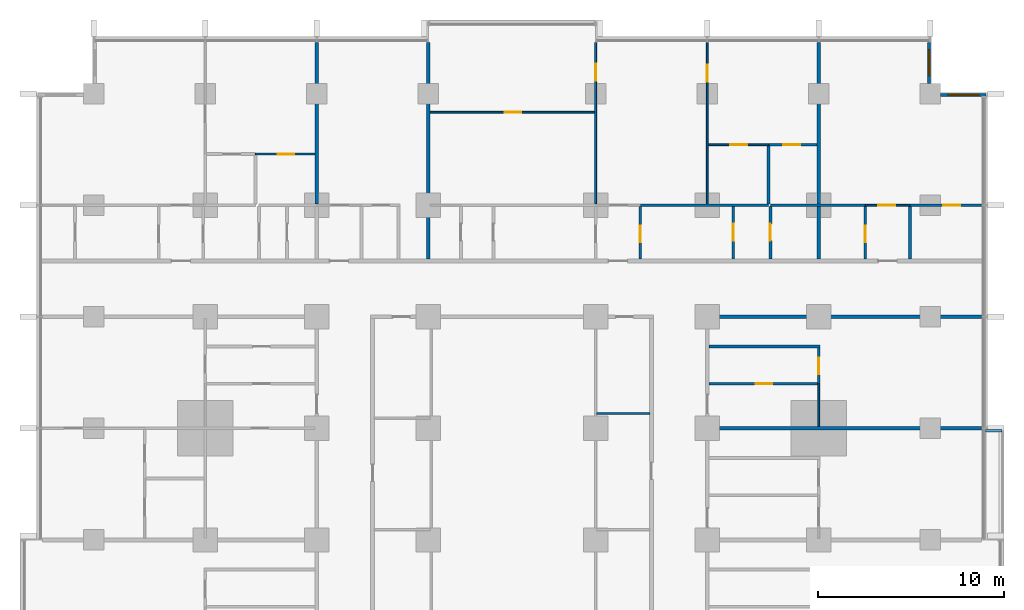
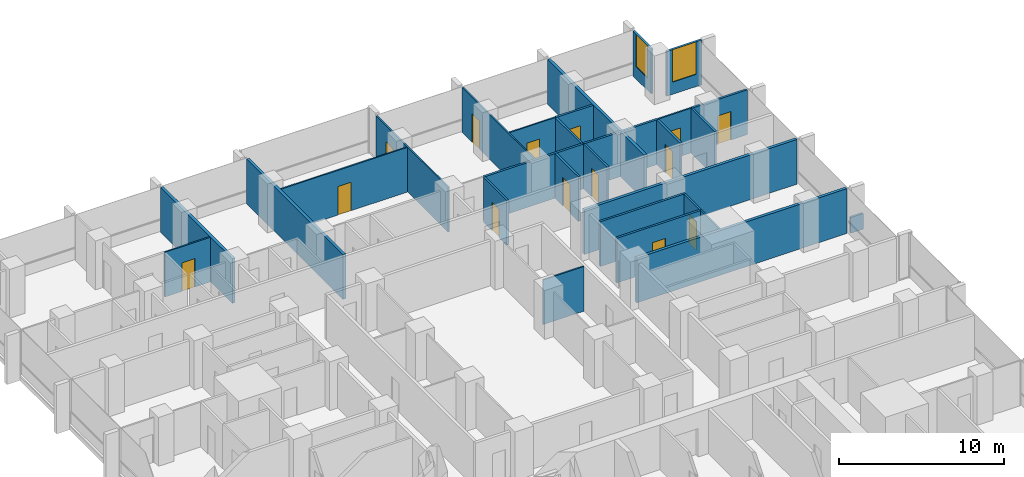
# One storey, part 12 of 18: 30 walls, 14 doors, 2 windows, 16 openings.
"""IFC4 building model written with IfcOpenShell, lengths in metres."""

from ifc_helpers import new_model, si_unit, direction, frame, frame_2d, origin, place, context, subcontext, project, spatial, rectangle, extrude, material, layer, layer_set, type_object, element, fill, save


model = new_model("IFC4")

# Units and contexts
model_context = context("Model", 3, precision=1e-05, world=origin(), true_north=direction((0.0, 1.0)))
body_context = subcontext(model_context, "Body", "Model", "MODEL_VIEW")
ifc_project = project(units=[si_unit("LENGTHUNIT", "METRE"), si_unit("AREAUNIT", "SQUARE_METRE"), si_unit("VOLUMEUNIT", "CUBIC_METRE"), si_unit("PLANEANGLEUNIT", "RADIAN"), si_unit("MASSUNIT", "GRAM", prefix="KILO")], contexts=[model_context])

# Site, building, storey
site_placement = place(None, origin())
site = spatial("IfcSite", under=ifc_project, at=site_placement, CompositionType="ELEMENT")
building_placement = place(site_placement, origin())
building = spatial("IfcBuilding", under=site, at=building_placement, Name="Finial Court Residences", CompositionType="ELEMENT")
storey_placement = place(building_placement, frame((0.0, 0.0, 43.300048828125)))
storey = spatial("IfcBuildingStorey", under=building, at=storey_placement, Name="L09", CompositionType="ELEMENT", Elevation=43.300048828125)

# Walls
ifc_material_1 = material(Name="Gypsum board")
ifc_layer_1 = layer(ifc_material_1, 0.02490234375)
ifc_material_2 = material(Name="Acoustic mineral wool in double frame")
ifc_layer_2 = layer(ifc_material_2, 0.14990234375)
ifc_layer_3 = layer(ifc_material_1, 0.02490234375)
ifc_layer_set_1 = layer_set([ifc_layer_1, ifc_layer_2, ifc_layer_3], Name="Acoustic party wall 200, 1 hour")
wall_type_1 = type_object("IfcWallType", Name="Acoustic party wall 200, 1 hour", PredefinedType="PARTITIONING", material=ifc_layer_set_1)
wall_1_placement = place(storey_placement, frame((10.60009765625, 7.5, 0.0), z_axis=(0.0, 0.0, 1.0), x_axis=(1.0, 0.0, 0.0)))
element("IfcWall", 1, at=wall_1_placement, inside=storey, type_object=wall_type_1, Name="Partition L09-024", PredefinedType="PARTITIONING", context=body_context, shape_type="SweptSolid", body=[
    extrude(rectangle(XDim=14.64990234375, YDim=0.199951171875, at=frame_2d((7.324951171875, 0.0))), origin(), (0.0, 0.0, 1.0), 3.300048828125),
])
wall_2_placement = place(storey_placement, frame((-10.5, 19.574951171875, 0.0), z_axis=(0.0, 0.0, 1.0), x_axis=(0.0, 1.0, 0.0)))
element("IfcWall", 2, at=wall_2_placement, inside=storey, type_object=wall_type_1, Name="Partition L09-078", PredefinedType="PARTITIONING", context=body_context, shape_type="SweptSolid", body=[
    extrude(rectangle(XDim=8.675048828125, YDim=0.199951171875, at=frame_2d((4.33740234375, 0.0))), origin(), (0.0, 0.0, 1.0), 3.300048828125),
])
wall_3_placement = place(storey_placement, frame((-4.5, 16.60009765625, 0.0), z_axis=(0.0, 0.0, 1.0), x_axis=(0.0, 1.0, 0.0)))
element("IfcWall", 3, at=wall_3_placement, inside=storey, type_object=wall_type_1, Name="Partition L09-082", PredefinedType="PARTITIONING", context=body_context, shape_type="SweptSolid", body=[
    extrude(rectangle(XDim=11.64990234375, YDim=0.199951171875, at=frame_2d((5.824951171875, 0.0))), origin(), (0.0, 0.0, 1.0), 3.300048828125),
])
wall_4_placement = place(storey_placement, frame((16.5, 16.60009765625, 0.0), z_axis=(0.0, 0.0, 1.0), x_axis=(0.0, 1.0, 0.0)))
element("IfcWall", 4, at=wall_4_placement, inside=storey, type_object=wall_type_1, Name="Partition L09-100", PredefinedType="PARTITIONING", context=body_context, shape_type="SweptSolid", body=[
    extrude(rectangle(XDim=2.824951171875, YDim=0.199951171875, at=frame_2d((1.41259765625, 0.0))), origin(), (0.0, 0.0, 1.0), 3.300048828125),
])
wall_5_placement = place(storey_placement, frame((16.5, 19.574951171875, 0.0), z_axis=(0.0, 0.0, 1.0), x_axis=(0.0, 1.0, 0.0)))
element("IfcWall", 5, at=wall_5_placement, inside=storey, type_object=wall_type_1, Name="Partition L09-101", PredefinedType="PARTITIONING", context=body_context, shape_type="SweptSolid", body=[
    extrude(rectangle(XDim=8.675048828125, YDim=0.199951171875, at=frame_2d((4.33740234375, 0.0))), origin(), (0.0, 0.0, 1.0), 3.300048828125),
])
ifc_layer_4 = layer(ifc_material_1, 0.02490234375)
ifc_layer_5 = layer(ifc_material_2, 0.14990234375)
ifc_layer_6 = layer(ifc_material_1, 0.02490234375)
ifc_layer_set_2 = layer_set([ifc_layer_4, ifc_layer_5, ifc_layer_6], Name="Corridor wall 200, 1 hour")
wall_type_2 = type_object("IfcWallType", Name="Corridor wall 200, 1 hour", PredefinedType="PARTITIONING", material=ifc_layer_set_2)
wall_6_placement = place(storey_placement, frame((10.39990234375, 13.5, 0.0), z_axis=(0.0, 0.0, 1.0), x_axis=(1.0, 0.0, 0.0)))
element("IfcWall", 6, at=wall_6_placement, inside=storey, type_object=wall_type_2, Name="Partition L09-034", PredefinedType="PARTITIONING", context=body_context, shape_type="SweptSolid", body=[
    extrude(rectangle(XDim=14.85009765625, YDim=0.199951171875, at=frame_2d((7.425048828125, 0.0))), origin(), (0.0, 0.0, 1.0), 3.300048828125),
])
ifc_layer_7 = layer(ifc_material_1, 0.012451171875)
ifc_material_3 = material(Name="Mineral wool in light-gauge frame")
ifc_layer_8 = layer(ifc_material_3, 0.074951171875)
ifc_layer_9 = layer(ifc_material_1, 0.012451171875)
ifc_layer_set_3 = layer_set([ifc_layer_7, ifc_layer_8, ifc_layer_9], Name="Gypsum board partition 100")
wall_type_3 = type_object("IfcWallType", Name="Gypsum board partition 100", PredefinedType="PARTITIONING", material=ifc_layer_set_3)
wall_7_placement = place(storey_placement, frame((4.550048828125, 8.300048828125, 0.0), z_axis=(0.0, 0.0, 1.0), x_axis=(1.0, 0.0, 0.0)))
element("IfcWall", 7, at=wall_7_placement, inside=storey, type_object=wall_type_3, Name="Partition L09-027", PredefinedType="PARTITIONING", context=body_context, shape_type="SweptSolid", body=[
    extrude(rectangle(XDim=2.849853515625, YDim=0.10009765625, at=frame_2d((1.4248046875, 0.0))), origin(), (0.0, 0.0, 1.0), 3.300048828125),
])

# Wall, opening, door
wall_8_placement = place(storey_placement, frame((19.0, 19.5, 0.0), z_axis=(0.0, 0.0, 1.0), x_axis=(1.0, 0.0, 0.0)))
wall_8 = element("IfcWall", 8, at=wall_8_placement, inside=storey, type_object=wall_type_3, Name="Partition L09-041", PredefinedType="PARTITIONING", context=body_context, shape_type="SweptSolid", body=[
    extrude(rectangle(XDim=2.39990234375, YDim=0.10009765625, at=frame_2d((1.199951171875, 0.0))), origin(), (0.0, 0.0, 1.0), 3.300048828125),
])
opening_1_placement = place(wall_8_placement, frame((0.699951171875, 0.0, 0.0)))
opening_1 = element("IfcOpeningElement", 9, at=opening_1_placement, cuts=wall_8, Name="Opening L09-D026", PredefinedType="OPENING", context=body_context, shape_type="SweptSolid", body=[
    extrude(rectangle(XDim=0.89990234375, YDim=2.10009765625, at=frame_2d((0.449951171875, 1.050048828125))), frame((0.0, 0.06005859375, 0.0), z_axis=(0.0, -1.0, 0.0), x_axis=(1.0, 0.0, 0.0)), (0.0, 0.0, 1.0), 0.1201171875),
])
ifc_material_4 = material(Name="Timber door leaf in timber frame", Category="wood")
door_type = type_object("IfcDoorType", Name="Door set 900 x 2100", OperationType="SINGLE_SWING_LEFT", PredefinedType="DOOR", material=ifc_material_4)
door_1_placement = place(opening_1_placement, origin())
door_1 = element("IfcDoor", 10, at=door_1_placement, inside=storey, type_object=door_type, Name="Door L09-D026", OperationType="SINGLE_SWING_LEFT", OverallHeight=2.10009765625, OverallWidth=0.89990234375, PredefinedType="DOOR", context=body_context, shape_type="SweptSolid", body=[
    extrude(rectangle(XDim=0.89990234375, YDim=2.10009765625, at=frame_2d((0.449951171875, 1.050048828125))), frame((0.0, 0.02490234375, 0.0), z_axis=(0.0, -1.0, 0.0), x_axis=(1.0, 0.0, 0.0)), (0.0, 0.0, 1.0), 0.050048828125),
])
fill(opening_1, door_1)

wall_9_placement = place(storey_placement, frame((-13.800048828125, 22.25, 0.0), z_axis=(0.0, 0.0, 1.0), x_axis=(1.0, 0.0, 0.0)))
wall_9 = element("IfcWall", 11, at=wall_9_placement, inside=storey, type_object=wall_type_3, Name="Partition L09-050", PredefinedType="PARTITIONING", context=body_context, shape_type="SweptSolid", body=[
    extrude(rectangle(XDim=3.199951171875, YDim=0.10009765625, at=frame_2d((1.60009765625, 0.0))), origin(), (0.0, 0.0, 1.0), 3.300048828125),
])
opening_2_placement = place(wall_9_placement, frame((1.199951171875, 0.0, 0.0)))
opening_2 = element("IfcOpeningElement", 12, at=opening_2_placement, cuts=wall_9, Name="Opening L09-D029", PredefinedType="OPENING", context=body_context, shape_type="SweptSolid", body=[
    extrude(rectangle(XDim=0.89990234375, YDim=2.10009765625, at=frame_2d((0.449951171875, 1.050048828125))), frame((0.0, 0.06005859375, 0.0), z_axis=(0.0, -1.0, 0.0), x_axis=(1.0, 0.0, 0.0)), (0.0, 0.0, 1.0), 0.1201171875),
])
door_2_placement = place(opening_2_placement, origin())
door_2 = element("IfcDoor", 13, at=door_2_placement, inside=storey, type_object=door_type, Name="Door L09-D029", OperationType="SINGLE_SWING_LEFT", OverallHeight=2.10009765625, OverallWidth=0.89990234375, PredefinedType="DOOR", context=body_context, shape_type="SweptSolid", body=[
    extrude(rectangle(XDim=0.89990234375, YDim=2.10009765625, at=frame_2d((0.449951171875, 1.050048828125))), frame((0.0, 0.02490234375, 0.0), z_axis=(0.0, -1.0, 0.0), x_axis=(1.0, 0.0, 0.0)), (0.0, 0.0, 1.0), 0.050048828125),
])
fill(opening_2, door_2)

wall_10_placement = place(storey_placement, frame((10.550048828125, 22.75, 0.0), z_axis=(0.0, 0.0, 1.0), x_axis=(1.0, 0.0, 0.0)))
wall_10 = element("IfcWall", 14, at=wall_10_placement, inside=storey, type_object=wall_type_3, Name="Partition L09-052", PredefinedType="PARTITIONING", context=body_context, shape_type="SweptSolid", body=[
    extrude(rectangle(XDim=3.25, YDim=0.10009765625, at=frame_2d((1.625, 0.0))), origin(), (0.0, 0.0, 1.0), 3.300048828125),
])
opening_3_placement = place(wall_10_placement, frame((1.199951171875, 0.0, 0.0)))
opening_3 = element("IfcOpeningElement", 15, at=opening_3_placement, cuts=wall_10, Name="Opening L09-D031", PredefinedType="OPENING", context=body_context, shape_type="SweptSolid", body=[
    extrude(rectangle(XDim=0.89990234375, YDim=2.10009765625, at=frame_2d((0.449951171875, 1.050048828125))), frame((0.0, 0.06005859375, 0.0), z_axis=(0.0, -1.0, 0.0), x_axis=(1.0, 0.0, 0.0)), (0.0, 0.0, 1.0), 0.1201171875),
])
door_3_placement = place(opening_3_placement, origin())
door_3 = element("IfcDoor", 16, at=door_3_placement, inside=storey, type_object=door_type, Name="Door L09-D031", OperationType="SINGLE_SWING_LEFT", OverallHeight=2.10009765625, OverallWidth=0.89990234375, PredefinedType="DOOR", context=body_context, shape_type="SweptSolid", body=[
    extrude(rectangle(XDim=0.89990234375, YDim=2.10009765625, at=frame_2d((0.449951171875, 1.050048828125))), frame((0.0, 0.02490234375, 0.0), z_axis=(0.0, -1.0, 0.0), x_axis=(1.0, 0.0, 0.0)), (0.0, 0.0, 1.0), 0.050048828125),
])
fill(opening_3, door_3)

wall_11_placement = place(storey_placement, frame((-4.39990234375, 24.5, 0.0), z_axis=(0.0, 0.0, 1.0), x_axis=(1.0, 0.0, 0.0)))
wall_11 = element("IfcWall", 17, at=wall_11_placement, inside=storey, type_object=wall_type_3, Name="Partition L09-054", PredefinedType="PARTITIONING", context=body_context, shape_type="SweptSolid", body=[
    extrude(rectangle(XDim=8.849853515625, YDim=0.10009765625, at=frame_2d((4.4248046875, 0.0))), origin(), (0.0, 0.0, 1.0), 3.300048828125),
])
opening_4_placement = place(wall_11_placement, frame((4.0, 0.0, 0.0)))
opening_4 = element("IfcOpeningElement", 18, at=opening_4_placement, cuts=wall_11, Name="Opening L09-D033", PredefinedType="OPENING", context=body_context, shape_type="SweptSolid", body=[
    extrude(rectangle(XDim=0.89990234375, YDim=2.10009765625, at=frame_2d((0.449951171875, 1.050048828125))), frame((0.0, 0.06005859375, 0.0), z_axis=(0.0, -1.0, 0.0), x_axis=(1.0, 0.0, 0.0)), (0.0, 0.0, 1.0), 0.1201171875),
])
door_4_placement = place(opening_4_placement, origin())
door_4 = element("IfcDoor", 19, at=door_4_placement, inside=storey, type_object=door_type, Name="Door L09-D033", OperationType="SINGLE_SWING_LEFT", OverallHeight=2.10009765625, OverallWidth=0.89990234375, PredefinedType="DOOR", context=body_context, shape_type="SweptSolid", body=[
    extrude(rectangle(XDim=0.89990234375, YDim=2.10009765625, at=frame_2d((0.449951171875, 1.050048828125))), frame((0.0, 0.02490234375, 0.0), z_axis=(0.0, -1.0, 0.0), x_axis=(1.0, 0.0, 0.0)), (0.0, 0.0, 1.0), 0.050048828125),
])
fill(opening_4, door_4)

wall_12_placement = place(storey_placement, frame((4.5, 19.574951171875, 0.0), z_axis=(0.0, 0.0, 1.0), x_axis=(0.0, 1.0, 0.0)))
wall_12 = element("IfcWall", 20, at=wall_12_placement, inside=storey, type_object=wall_type_3, Name="Partition L09-087", PredefinedType="PARTITIONING", context=body_context, shape_type="SweptSolid", body=[
    extrude(rectangle(XDim=8.675048828125, YDim=0.10009765625, at=frame_2d((4.33740234375, 0.0))), origin(), (0.0, 0.0, 1.0), 3.300048828125),
])
opening_5_placement = place(wall_12_placement, frame((6.625, 0.0, 0.0)))
opening_5 = element("IfcOpeningElement", 21, at=opening_5_placement, cuts=wall_12, Name="Opening L09-D053", PredefinedType="OPENING", context=body_context, shape_type="SweptSolid", body=[
    extrude(rectangle(XDim=0.89990234375, YDim=2.10009765625, at=frame_2d((0.449951171875, 1.050048828125))), frame((0.0, 0.06005859375, 0.0), z_axis=(0.0, -1.0, 0.0), x_axis=(1.0, 0.0, 0.0)), (0.0, 0.0, 1.0), 0.1201171875),
])
door_5_placement = place(opening_5_placement, origin())
door_5 = element("IfcDoor", 22, at=door_5_placement, inside=storey, type_object=door_type, Name="Door L09-D053", OperationType="SINGLE_SWING_LEFT", OverallHeight=2.10009765625, OverallWidth=0.89990234375, PredefinedType="DOOR", context=body_context, shape_type="SweptSolid", body=[
    extrude(rectangle(XDim=0.89990234375, YDim=2.10009765625, at=frame_2d((0.449951171875, 1.050048828125))), frame((0.0, 0.02490234375, 0.0), z_axis=(0.0, -1.0, 0.0), x_axis=(1.0, 0.0, 0.0)), (0.0, 0.0, 1.0), 0.050048828125),
])
fill(opening_5, door_5)

wall_13_placement = place(storey_placement, frame((10.5, 19.574951171875, 0.0), z_axis=(0.0, 0.0, 1.0), x_axis=(0.0, 1.0, 0.0)))
wall_13 = element("IfcWall", 23, at=wall_13_placement, inside=storey, type_object=wall_type_3, Name="Partition L09-092", PredefinedType="PARTITIONING", context=body_context, shape_type="SweptSolid", body=[
    extrude(rectangle(XDim=8.675048828125, YDim=0.10009765625, at=frame_2d((4.33740234375, 0.0))), origin(), (0.0, 0.0, 1.0), 3.300048828125),
])
opening_6_placement = place(wall_13_placement, frame((6.574951171875, 0.0, 0.0)))
opening_6 = element("IfcOpeningElement", 24, at=opening_6_placement, cuts=wall_13, Name="Opening L09-D059", PredefinedType="OPENING", context=body_context, shape_type="SweptSolid", body=[
    extrude(rectangle(XDim=0.89990234375, YDim=2.10009765625, at=frame_2d((0.449951171875, 1.050048828125))), frame((0.0, 0.06005859375, 0.0), z_axis=(0.0, -1.0, 0.0), x_axis=(1.0, 0.0, 0.0)), (0.0, 0.0, 1.0), 0.1201171875),
])
door_6_placement = place(opening_6_placement, origin())
door_6 = element("IfcDoor", 25, at=door_6_placement, inside=storey, type_object=door_type, Name="Door L09-D059", OperationType="SINGLE_SWING_RIGHT", OverallHeight=2.10009765625, OverallWidth=0.89990234375, PredefinedType="DOOR", context=body_context, shape_type="SweptSolid", body=[
    extrude(rectangle(XDim=0.89990234375, YDim=2.10009765625, at=frame_2d((0.449951171875, 1.050048828125))), frame((0.0, 0.02490234375, 0.0), z_axis=(0.0, -1.0, 0.0), x_axis=(1.0, 0.0, 0.0)), (0.0, 0.0, 1.0), 0.050048828125),
])
fill(opening_6, door_6)

# Wall
wall_14_placement = place(storey_placement, frame((16.5, 7.60009765625, 0.0), z_axis=(0.0, 0.0, 1.0), x_axis=(0.0, 1.0, 0.0)))
element("IfcWall", 26, at=wall_14_placement, inside=storey, type_object=wall_type_3, Name="Partition L09-099", PredefinedType="PARTITIONING", context=body_context, shape_type="SweptSolid", body=[
    extrude(rectangle(XDim=2.2998046875, YDim=0.10009765625, at=frame_2d((1.14990234375, 0.0))), origin(), (0.0, 0.0, 1.0), 3.300048828125),
])

# Wall, opening, door
ifc_material_5 = material(Name="Moisture-resistant gypsum board")
ifc_layer_10 = layer(ifc_material_5, 0.012451171875)
ifc_layer_11 = layer(ifc_material_3, 0.125)
ifc_layer_12 = layer(ifc_material_5, 0.012451171875)
ifc_layer_set_4 = layer_set([ifc_layer_10, ifc_layer_11, ifc_layer_12], Name="Gypsum board wet-area partition 150")
wall_type_4 = type_object("IfcWallType", Name="Gypsum board wet-area partition 150", PredefinedType="PARTITIONING", material=ifc_layer_set_4)
wall_15_placement = place(storey_placement, frame((10.60009765625, 9.89990234375, 0.0), z_axis=(0.0, 0.0, 1.0), x_axis=(1.0, 0.0, 0.0)))
wall_15 = element("IfcWall", 27, at=wall_15_placement, inside=storey, type_object=wall_type_4, Name="Partition L09-029", PredefinedType="PARTITIONING", context=body_context, shape_type="SweptSolid", body=[
    extrude(rectangle(XDim=5.824951171875, YDim=0.14990234375, at=frame_2d((2.91259765625, 0.0))), origin(), (0.0, 0.0, 1.0), 3.300048828125),
])
opening_7_placement = place(wall_15_placement, frame((2.5, 0.0, 0.0)))
opening_7 = element("IfcOpeningElement", 28, at=opening_7_placement, cuts=wall_15, Name="Opening L09-D015", PredefinedType="OPENING", context=body_context, shape_type="SweptSolid", body=[
    extrude(rectangle(XDim=0.89990234375, YDim=2.10009765625, at=frame_2d((0.449951171875, 1.050048828125))), frame((0.0, 0.0849609375, 0.0), z_axis=(0.0, -1.0, 0.0), x_axis=(1.0, 0.0, 0.0)), (0.0, 0.0, 1.0), 0.169921875),
])
door_7_placement = place(opening_7_placement, origin())
door_7 = element("IfcDoor", 29, at=door_7_placement, inside=storey, type_object=door_type, Name="Door L09-D015", OperationType="SINGLE_SWING_LEFT", OverallHeight=2.10009765625, OverallWidth=0.89990234375, PredefinedType="DOOR", context=body_context, shape_type="SweptSolid", body=[
    extrude(rectangle(XDim=0.89990234375, YDim=2.10009765625, at=frame_2d((0.449951171875, 1.050048828125))), frame((0.0, 0.02490234375, 0.0), z_axis=(0.0, -1.0, 0.0), x_axis=(1.0, 0.0, 0.0)), (0.0, 0.0, 1.0), 0.050048828125),
])
fill(opening_7, door_7)

# Walls
wall_16_placement = place(storey_placement, frame((10.60009765625, 11.89990234375, 0.0), z_axis=(0.0, 0.0, 1.0), x_axis=(1.0, 0.0, 0.0)))
element("IfcWall", 30, at=wall_16_placement, inside=storey, type_object=wall_type_4, Name="Partition L09-031", PredefinedType="PARTITIONING", context=body_context, shape_type="SweptSolid", body=[
    extrude(rectangle(XDim=5.974853515625, YDim=0.14990234375, at=frame_2d((2.9873046875, 0.0))), origin(), (0.0, 0.0, 1.0), 3.300048828125),
])
wall_17_placement = place(storey_placement, frame((6.89990234375, 19.5, 0.0), z_axis=(0.0, 0.0, 1.0), x_axis=(1.0, 0.0, 0.0)))
element("IfcWall", 31, at=wall_17_placement, inside=storey, type_object=wall_type_4, Name="Partition L09-047", PredefinedType="PARTITIONING", context=body_context, shape_type="SweptSolid", body=[
    extrude(rectangle(XDim=6.900146484375, YDim=0.14990234375, at=frame_2d((3.4501953125, 0.0))), origin(), (0.0, 0.0, 1.0), 3.300048828125),
])
wall_18_placement = place(storey_placement, frame((13.89990234375, 19.5, 0.0), z_axis=(0.0, 0.0, 1.0), x_axis=(1.0, 0.0, 0.0)))
element("IfcWall", 32, at=wall_18_placement, inside=storey, type_object=wall_type_4, Name="Partition L09-048", PredefinedType="PARTITIONING", context=body_context, shape_type="SweptSolid", body=[
    extrude(rectangle(XDim=5.10009765625, YDim=0.14990234375, at=frame_2d((2.550048828125, 0.0))), origin(), (0.0, 0.0, 1.0), 3.300048828125),
])

# Wall, opening, door
wall_19_placement = place(storey_placement, frame((21.39990234375, 19.5, 0.0), z_axis=(0.0, 0.0, 1.0), x_axis=(1.0, 0.0, 0.0)))
wall_19 = element("IfcWall", 33, at=wall_19_placement, inside=storey, type_object=wall_type_4, Name="Partition L09-049", PredefinedType="PARTITIONING", context=body_context, shape_type="SweptSolid", body=[
    extrude(rectangle(XDim=3.85009765625, YDim=0.14990234375, at=frame_2d((1.925048828125, 0.0))), origin(), (0.0, 0.0, 1.0), 3.300048828125),
])
opening_8_placement = place(wall_19_placement, frame((1.800048828125, 0.0, 0.0)))
opening_8 = element("IfcOpeningElement", 34, at=opening_8_placement, cuts=wall_19, Name="Opening L09-D028", PredefinedType="OPENING", context=body_context, shape_type="SweptSolid", body=[
    extrude(rectangle(XDim=0.89990234375, YDim=2.10009765625, at=frame_2d((0.449951171875, 1.050048828125))), frame((0.0, 0.0849609375, 0.0), z_axis=(0.0, -1.0, 0.0), x_axis=(1.0, 0.0, 0.0)), (0.0, 0.0, 1.0), 0.169921875),
])
door_8_placement = place(opening_8_placement, origin())
door_8 = element("IfcDoor", 35, at=door_8_placement, inside=storey, type_object=door_type, Name="Door L09-D028", OperationType="SINGLE_SWING_RIGHT", OverallHeight=2.10009765625, OverallWidth=0.89990234375, PredefinedType="DOOR", context=body_context, shape_type="SweptSolid", body=[
    extrude(rectangle(XDim=0.89990234375, YDim=2.10009765625, at=frame_2d((0.449951171875, 1.050048828125))), frame((0.0, 0.02490234375, 0.0), z_axis=(0.0, -1.0, 0.0), x_axis=(1.0, 0.0, 0.0)), (0.0, 0.0, 1.0), 0.050048828125),
])
fill(opening_8, door_8)

wall_20_placement = place(storey_placement, frame((13.800048828125, 22.75, 0.0), z_axis=(0.0, 0.0, 1.0), x_axis=(1.0, 0.0, 0.0)))
wall_20 = element("IfcWall", 36, at=wall_20_placement, inside=storey, type_object=wall_type_4, Name="Partition L09-053", PredefinedType="PARTITIONING", context=body_context, shape_type="SweptSolid", body=[
    extrude(rectangle(XDim=2.599853515625, YDim=0.14990234375, at=frame_2d((1.2998046875, 0.0))), origin(), (0.0, 0.0, 1.0), 3.300048828125),
])
opening_9_placement = place(wall_20_placement, frame((0.800048828125, 0.0, 0.0)))
opening_9 = element("IfcOpeningElement", 37, at=opening_9_placement, cuts=wall_20, Name="Opening L09-D032", PredefinedType="OPENING", context=body_context, shape_type="SweptSolid", body=[
    extrude(rectangle(XDim=0.89990234375, YDim=2.10009765625, at=frame_2d((0.449951171875, 1.050048828125))), frame((0.0, 0.0849609375, 0.0), z_axis=(0.0, -1.0, 0.0), x_axis=(1.0, 0.0, 0.0)), (0.0, 0.0, 1.0), 0.169921875),
])
door_9_placement = place(opening_9_placement, origin())
door_9 = element("IfcDoor", 38, at=door_9_placement, inside=storey, type_object=door_type, Name="Door L09-D032", OperationType="SINGLE_SWING_LEFT", OverallHeight=2.10009765625, OverallWidth=0.89990234375, PredefinedType="DOOR", context=body_context, shape_type="SweptSolid", body=[
    extrude(rectangle(XDim=0.89990234375, YDim=2.10009765625, at=frame_2d((0.449951171875, 1.050048828125))), frame((0.0, 0.02490234375, 0.0), z_axis=(0.0, -1.0, 0.0), x_axis=(1.0, 0.0, 0.0)), (0.0, 0.0, 1.0), 0.050048828125),
])
fill(opening_9, door_9)

wall_21_placement = place(storey_placement, frame((6.89990234375, 16.60009765625, 0.0), z_axis=(0.0, 0.0, 1.0), x_axis=(0.0, 1.0, 0.0)))
wall_21 = element("IfcWall", 39, at=wall_21_placement, inside=storey, type_object=wall_type_4, Name="Partition L09-089", PredefinedType="PARTITIONING", context=body_context, shape_type="SweptSolid", body=[
    extrude(rectangle(XDim=2.824951171875, YDim=0.14990234375, at=frame_2d((1.41259765625, 0.0))), origin(), (0.0, 0.0, 1.0), 3.300048828125),
])
opening_10_placement = place(wall_21_placement, frame((0.89990234375, 0.0, 0.0)))
opening_10 = element("IfcOpeningElement", 40, at=opening_10_placement, cuts=wall_21, Name="Opening L09-D055", PredefinedType="OPENING", context=body_context, shape_type="SweptSolid", body=[
    extrude(rectangle(XDim=0.89990234375, YDim=2.10009765625, at=frame_2d((0.449951171875, 1.050048828125))), frame((0.0, 0.0849609375, 0.0), z_axis=(0.0, -1.0, 0.0), x_axis=(1.0, 0.0, 0.0)), (0.0, 0.0, 1.0), 0.169921875),
])
door_10_placement = place(opening_10_placement, origin())
door_10 = element("IfcDoor", 41, at=door_10_placement, inside=storey, type_object=door_type, Name="Door L09-D055", OperationType="SINGLE_SWING_RIGHT", OverallHeight=2.10009765625, OverallWidth=0.89990234375, PredefinedType="DOOR", context=body_context, shape_type="SweptSolid", body=[
    extrude(rectangle(XDim=0.89990234375, YDim=2.10009765625, at=frame_2d((0.449951171875, 1.050048828125))), frame((0.0, 0.02490234375, 0.0), z_axis=(0.0, -1.0, 0.0), x_axis=(1.0, 0.0, 0.0)), (0.0, 0.0, 1.0), 0.050048828125),
])
fill(opening_10, door_10)

wall_22_placement = place(storey_placement, frame((11.89990234375, 16.60009765625, 0.0), z_axis=(0.0, 0.0, 1.0), x_axis=(0.0, 1.0, 0.0)))
wall_22 = element("IfcWall", 42, at=wall_22_placement, inside=storey, type_object=wall_type_4, Name="Partition L09-093", PredefinedType="PARTITIONING", context=body_context, shape_type="SweptSolid", body=[
    extrude(rectangle(XDim=2.824951171875, YDim=0.14990234375, at=frame_2d((1.41259765625, 0.0))), origin(), (0.0, 0.0, 1.0), 3.300048828125),
])
opening_11_placement = place(wall_22_placement, frame((1.0, 0.0, 0.0)))
opening_11 = element("IfcOpeningElement", 43, at=opening_11_placement, cuts=wall_22, Name="Opening L09-D060", PredefinedType="OPENING", context=body_context, shape_type="SweptSolid", body=[
    extrude(rectangle(XDim=0.89990234375, YDim=2.10009765625, at=frame_2d((0.449951171875, 1.050048828125))), frame((0.0, 0.0849609375, 0.0), z_axis=(0.0, -1.0, 0.0), x_axis=(1.0, 0.0, 0.0)), (0.0, 0.0, 1.0), 0.169921875),
])
door_11_placement = place(opening_11_placement, origin())
door_11 = element("IfcDoor", 44, at=door_11_placement, inside=storey, type_object=door_type, Name="Door L09-D060", OperationType="SINGLE_SWING_RIGHT", OverallHeight=2.10009765625, OverallWidth=0.89990234375, PredefinedType="DOOR", context=body_context, shape_type="SweptSolid", body=[
    extrude(rectangle(XDim=0.89990234375, YDim=2.10009765625, at=frame_2d((0.449951171875, 1.050048828125))), frame((0.0, 0.02490234375, 0.0), z_axis=(0.0, -1.0, 0.0), x_axis=(1.0, 0.0, 0.0)), (0.0, 0.0, 1.0), 0.050048828125),
])
fill(opening_11, door_11)

# Wall
wall_23_placement = place(storey_placement, frame((13.800048828125, 19.574951171875, 0.0), z_axis=(0.0, 0.0, 1.0), x_axis=(0.0, 1.0, 0.0)))
element("IfcWall", 45, at=wall_23_placement, inside=storey, type_object=wall_type_4, Name="Partition L09-094", PredefinedType="PARTITIONING", context=body_context, shape_type="SweptSolid", body=[
    extrude(rectangle(XDim=3.10009765625, YDim=0.14990234375, at=frame_2d((1.550048828125, 0.0))), origin(), (0.0, 0.0, 1.0), 3.300048828125),
])

# Wall, opening, door
wall_24_placement = place(storey_placement, frame((13.89990234375, 16.60009765625, 0.0), z_axis=(0.0, 0.0, 1.0), x_axis=(0.0, 1.0, 0.0)))
wall_24 = element("IfcWall", 46, at=wall_24_placement, inside=storey, type_object=wall_type_4, Name="Partition L09-095", PredefinedType="PARTITIONING", context=body_context, shape_type="SweptSolid", body=[
    extrude(rectangle(XDim=2.824951171875, YDim=0.14990234375, at=frame_2d((1.41259765625, 0.0))), origin(), (0.0, 0.0, 1.0), 3.300048828125),
])
opening_12_placement = place(wall_24_placement, frame((1.0, 0.0, 0.0)))
opening_12 = element("IfcOpeningElement", 47, at=opening_12_placement, cuts=wall_24, Name="Opening L09-D061", PredefinedType="OPENING", context=body_context, shape_type="SweptSolid", body=[
    extrude(rectangle(XDim=0.89990234375, YDim=2.10009765625, at=frame_2d((0.449951171875, 1.050048828125))), frame((0.0, 0.0849609375, 0.0), z_axis=(0.0, -1.0, 0.0), x_axis=(1.0, 0.0, 0.0)), (0.0, 0.0, 1.0), 0.169921875),
])
door_12_placement = place(opening_12_placement, origin())
door_12 = element("IfcDoor", 48, at=door_12_placement, inside=storey, type_object=door_type, Name="Door L09-D061", OperationType="SINGLE_SWING_RIGHT", OverallHeight=2.10009765625, OverallWidth=0.89990234375, PredefinedType="DOOR", context=body_context, shape_type="SweptSolid", body=[
    extrude(rectangle(XDim=0.89990234375, YDim=2.10009765625, at=frame_2d((0.449951171875, 1.050048828125))), frame((0.0, 0.02490234375, 0.0), z_axis=(0.0, -1.0, 0.0), x_axis=(1.0, 0.0, 0.0)), (0.0, 0.0, 1.0), 0.050048828125),
])
fill(opening_12, door_12)

wall_25_placement = place(storey_placement, frame((16.5, 9.89990234375, 0.0), z_axis=(0.0, 0.0, 1.0), x_axis=(0.0, 1.0, 0.0)))
wall_25 = element("IfcWall", 49, at=wall_25_placement, inside=storey, type_object=wall_type_4, Name="Partition L09-105", PredefinedType="PARTITIONING", context=body_context, shape_type="SweptSolid", body=[
    extrude(rectangle(XDim=1.925048828125, YDim=0.14990234375, at=frame_2d((0.96240234375, 0.0))), origin(), (0.0, 0.0, 1.0), 3.300048828125),
])
opening_13_placement = place(wall_25_placement, frame((0.5, 0.0, 0.0)))
opening_13 = element("IfcOpeningElement", 50, at=opening_13_placement, cuts=wall_25, Name="Opening L09-D067", PredefinedType="OPENING", context=body_context, shape_type="SweptSolid", body=[
    extrude(rectangle(XDim=0.89990234375, YDim=2.10009765625, at=frame_2d((0.449951171875, 1.050048828125))), frame((0.0, 0.0849609375, 0.0), z_axis=(0.0, -1.0, 0.0), x_axis=(1.0, 0.0, 0.0)), (0.0, 0.0, 1.0), 0.169921875),
])
door_13_placement = place(opening_13_placement, origin())
door_13 = element("IfcDoor", 51, at=door_13_placement, inside=storey, type_object=door_type, Name="Door L09-D067", OperationType="SINGLE_SWING_RIGHT", OverallHeight=2.10009765625, OverallWidth=0.89990234375, PredefinedType="DOOR", context=body_context, shape_type="SweptSolid", body=[
    extrude(rectangle(XDim=0.89990234375, YDim=2.10009765625, at=frame_2d((0.449951171875, 1.050048828125))), frame((0.0, 0.02490234375, 0.0), z_axis=(0.0, -1.0, 0.0), x_axis=(1.0, 0.0, 0.0)), (0.0, 0.0, 1.0), 0.050048828125),
])
fill(opening_13, door_13)

wall_26_placement = place(storey_placement, frame((19.0, 16.60009765625, 0.0), z_axis=(0.0, 0.0, 1.0), x_axis=(0.0, 1.0, 0.0)))
wall_26 = element("IfcWall", 52, at=wall_26_placement, inside=storey, type_object=wall_type_4, Name="Partition L09-106", PredefinedType="PARTITIONING", context=body_context, shape_type="SweptSolid", body=[
    extrude(rectangle(XDim=2.824951171875, YDim=0.14990234375, at=frame_2d((1.41259765625, 0.0))), origin(), (0.0, 0.0, 1.0), 3.300048828125),
])
opening_14_placement = place(wall_26_placement, frame((0.89990234375, 0.0, 0.0)))
opening_14 = element("IfcOpeningElement", 53, at=opening_14_placement, cuts=wall_26, Name="Opening L09-D068", PredefinedType="OPENING", context=body_context, shape_type="SweptSolid", body=[
    extrude(rectangle(XDim=0.89990234375, YDim=2.10009765625, at=frame_2d((0.449951171875, 1.050048828125))), frame((0.0, 0.0849609375, 0.0), z_axis=(0.0, -1.0, 0.0), x_axis=(1.0, 0.0, 0.0)), (0.0, 0.0, 1.0), 0.169921875),
])
door_14_placement = place(opening_14_placement, origin())
door_14 = element("IfcDoor", 54, at=door_14_placement, inside=storey, type_object=door_type, Name="Door L09-D068", OperationType="SINGLE_SWING_RIGHT", OverallHeight=2.10009765625, OverallWidth=0.89990234375, PredefinedType="DOOR", context=body_context, shape_type="SweptSolid", body=[
    extrude(rectangle(XDim=0.89990234375, YDim=2.10009765625, at=frame_2d((0.449951171875, 1.050048828125))), frame((0.0, 0.02490234375, 0.0), z_axis=(0.0, -1.0, 0.0), x_axis=(1.0, 0.0, 0.0)), (0.0, 0.0, 1.0), 0.050048828125),
])
fill(opening_14, door_14)

# Walls
wall_27_placement = place(storey_placement, frame((21.39990234375, 16.60009765625, 0.0), z_axis=(0.0, 0.0, 1.0), x_axis=(0.0, 1.0, 0.0)))
element("IfcWall", 55, at=wall_27_placement, inside=storey, type_object=wall_type_4, Name="Partition L09-108", PredefinedType="PARTITIONING", context=body_context, shape_type="SweptSolid", body=[
    extrude(rectangle(XDim=2.824951171875, YDim=0.14990234375, at=frame_2d((1.41259765625, 0.0))), origin(), (0.0, 0.0, 1.0), 3.300048828125),
])
ifc_material_6 = material(Name="Concrete C35/45", Category="concrete")
ifc_layer_13 = layer(ifc_material_6, 0.14990234375)
ifc_layer_set_5 = layer_set([ifc_layer_13], Name="Ledge parapet, Concrete C35/45 150")
wall_type_5 = type_object("IfcWallType", Name="Ledge parapet, Concrete C35/45 150", PredefinedType="PARAPET", material=ifc_layer_set_5)
wall_28_placement = place(storey_placement, frame((25.4599609375, 7.375, 0.0), z_axis=(0.0, 0.0, 1.0), x_axis=(1.0, 0.0, 0.0)))
element("IfcWall", 56, at=wall_28_placement, inside=storey, type_object=wall_type_5, Name="E-L09-LED1-P1", PredefinedType="PARAPET", context=body_context, shape_type="SweptSolid", body=[
    extrude(rectangle(XDim=0.89013671875, YDim=0.14990234375, at=frame_2d((0.445068359375, 0.0))), origin(), (0.0, 0.0, 1.0), 1.14990234375),
])

# Wall, opening, window
ifc_material_7 = material(Name="Natural limestone", Category="masonry")
ifc_layer_14 = layer(ifc_material_7, 0.14990234375)
ifc_layer_set_6 = layer_set([ifc_layer_14], Name="Limestone clad wall 150")
wall_type_6 = type_object("IfcWallType", Name="Limestone clad wall 150", PredefinedType="SOLIDWALL", material=ifc_layer_set_6)
wall_29_placement = place(storey_placement, frame((22.425048828125, 28.25, 0.0), z_axis=(0.0, 0.0, 1.0), x_axis=(0.0, -1.0, 0.0)))
wall_29 = element("IfcWall", 57, at=wall_29_placement, inside=storey, type_object=wall_type_6, Name="E-L09-NWE18", PredefinedType="SOLIDWALL", context=body_context, shape_type="SweptSolid", body=[
    extrude(rectangle(XDim=2.199951171875, YDim=0.14990234375, at=frame_2d((1.10009765625, 0.0))), origin(), (0.0, 0.0, 1.0), 3.300048828125),
])
opening_15_placement = place(wall_29_placement, frame((0.39990234375, 0.0, 0.89990234375)))
opening_15 = element("IfcOpeningElement", 58, at=opening_15_placement, cuts=wall_29, Name="Opening WE09-07", PredefinedType="OPENING", context=body_context, shape_type="SweptSolid", body=[
    extrude(rectangle(XDim=1.39990234375, YDim=2.39990234375, at=frame_2d((0.699951171875, 1.199951171875))), frame((0.0, 0.0849609375, 0.0), z_axis=(0.0, -1.0, 0.0), x_axis=(1.0, 0.0, 0.0)), (0.0, 0.0, 1.0), 0.169921875),
])
ifc_material_8 = material(Name="Clear low-e glass", Category="glass")
window_type_1 = type_object("IfcWindowType", Name="Corner window 1400 x 2400", PartitioningType="SINGLE_PANEL", PredefinedType="WINDOW", material=ifc_material_8)
window_1_placement = place(opening_15_placement, origin())
window_1 = element("IfcWindow", 59, at=window_1_placement, inside=storey, type_object=window_type_1, Name="E-L09-NWE18-W1", OverallHeight=2.39990234375, OverallWidth=1.39990234375, PartitioningType="SINGLE_PANEL", PredefinedType="WINDOW", context=body_context, shape_type="SweptSolid", body=[
    extrude(rectangle(XDim=1.39990234375, YDim=2.39990234375, at=frame_2d((0.699951171875, 1.199951171875))), frame((0.0, 0.030029296875, 0.0), z_axis=(0.0, -1.0, 0.0), x_axis=(1.0, 0.0, 0.0)), (0.0, 0.0, 1.0), 0.06005859375),
])
fill(opening_15, window_1)

wall_30_placement = place(storey_placement, frame((23.050048828125, 25.425048828125, 0.0), z_axis=(0.0, 0.0, 1.0), x_axis=(1.0, 0.0, 0.0)))
wall_30 = element("IfcWall", 60, at=wall_30_placement, inside=storey, type_object=wall_type_6, Name="E-L09-NWN19", PredefinedType="SOLIDWALL", context=body_context, shape_type="SweptSolid", body=[
    extrude(rectangle(XDim=2.449951171875, YDim=0.14990234375, at=frame_2d((1.22509765625, 0.0))), origin(), (0.0, 0.0, 1.0), 3.300048828125),
])
opening_16_placement = place(wall_30_placement, frame((0.39990234375, 0.0, 0.89990234375)))
opening_16 = element("IfcOpeningElement", 61, at=opening_16_placement, cuts=wall_30, Name="Opening WE09-08", PredefinedType="OPENING", context=body_context, shape_type="SweptSolid", body=[
    extrude(rectangle(XDim=1.64990234375, YDim=2.39990234375, at=frame_2d((0.824951171875, 1.199951171875))), frame((0.0, 0.0849609375, 0.0), z_axis=(0.0, -1.0, 0.0), x_axis=(1.0, 0.0, 0.0)), (0.0, 0.0, 1.0), 0.169921875),
])
window_type_2 = type_object("IfcWindowType", Name="Corner window 1650 x 2400", PartitioningType="SINGLE_PANEL", PredefinedType="WINDOW", material=ifc_material_8)
window_2_placement = place(opening_16_placement, origin())
window_2 = element("IfcWindow", 62, at=window_2_placement, inside=storey, type_object=window_type_2, Name="E-L09-NWN19-W1", OverallHeight=2.39990234375, OverallWidth=1.64990234375, PartitioningType="SINGLE_PANEL", PredefinedType="WINDOW", context=body_context, shape_type="SweptSolid", body=[
    extrude(rectangle(XDim=1.64990234375, YDim=2.39990234375, at=frame_2d((0.824951171875, 1.199951171875))), frame((0.0, 0.030029296875, 0.0), z_axis=(0.0, -1.0, 0.0), x_axis=(1.0, 0.0, 0.0)), (0.0, 0.0, 1.0), 0.06005859375),
])
fill(opening_16, window_2)

save(model, "model.ifc")
